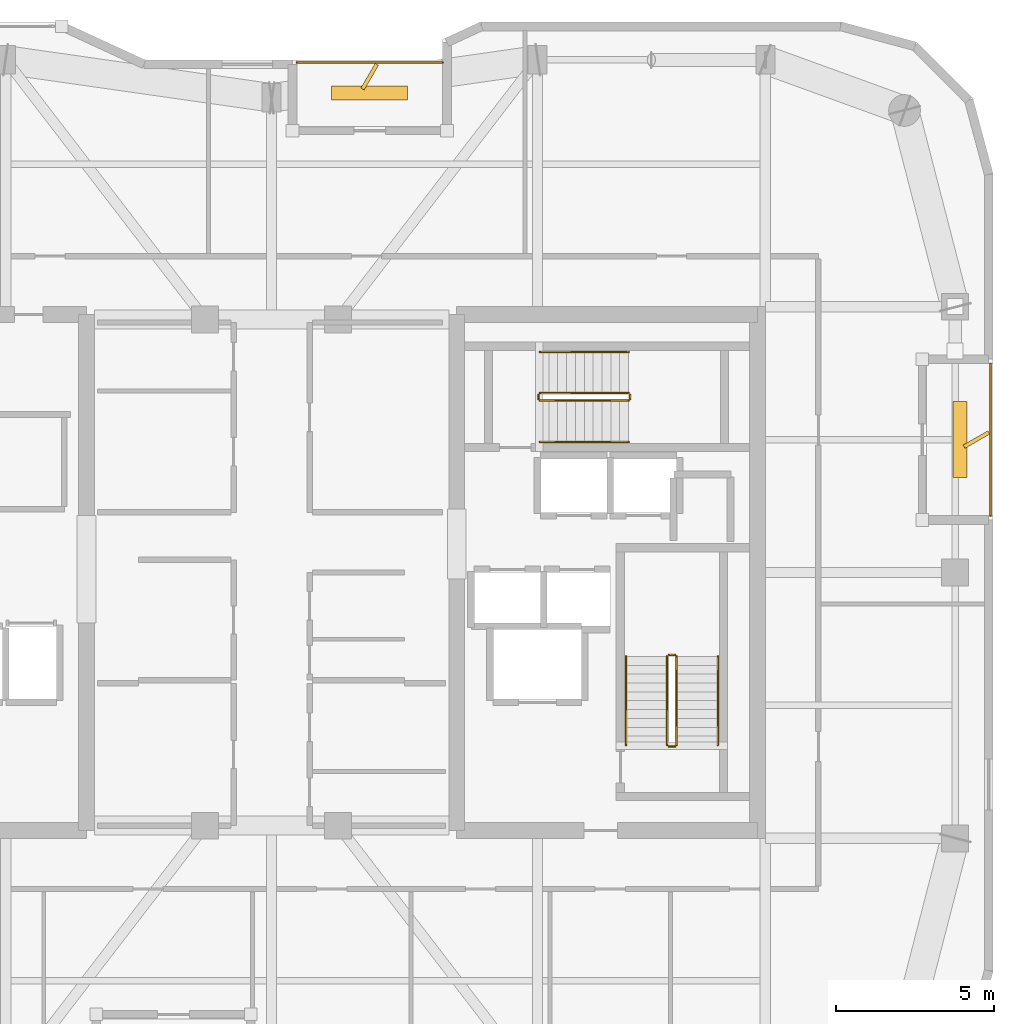
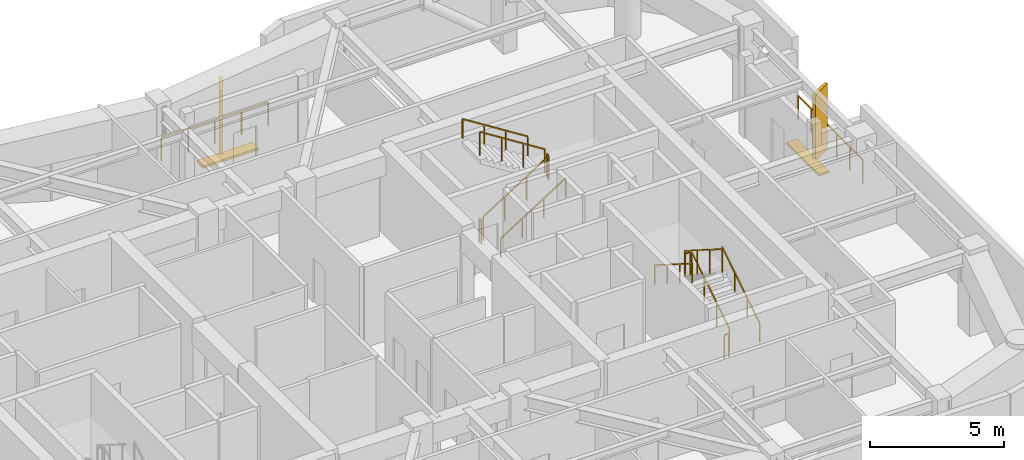
# One storey, part 15 of 15: 14 railings, 4 shading devices.
"""IFC4 building model written with IfcOpenShell, lengths in metres."""

from ifc_helpers import new_model, si_unit, direction, frame, origin, origin_2d, place, context, subcontext, project, spatial, rectangle, extrude, material, type_object, element, save


model = new_model("IFC4")

# Units and contexts
model_context = context("Model", 3, precision=1e-05, world=origin(), true_north=direction((0.0, 1.0)))
body_context = subcontext(model_context, "Body", "Model", "MODEL_VIEW")
ifc_project = project(units=[si_unit("LENGTHUNIT", "METRE"), si_unit("AREAUNIT", "SQUARE_METRE"), si_unit("VOLUMEUNIT", "CUBIC_METRE"), si_unit("PLANEANGLEUNIT", "RADIAN"), si_unit("MASSUNIT", "GRAM", prefix="KILO")], contexts=[model_context])

# Site, building, storey
site_placement = place(None, origin())
site = spatial("IfcSite", under=ifc_project, at=site_placement, CompositionType="ELEMENT")
building_placement = place(site_placement, origin())
building = spatial("IfcBuilding", under=site, at=building_placement, Name="Kiyonajd Concourse Tower", CompositionType="ELEMENT")
storey_placement = place(building_placement, frame((0.0, 0.0, 321.89990234375)))
storey = spatial("IfcBuildingStorey", under=building, at=storey_placement, Name="L81", CompositionType="ELEMENT", Elevation=321.89990234375)

# Railings
ifc_material_1 = material(Name="Thermally Broken Anodised Aluminium", Category="aluminium")
railing_type_1 = type_object("IfcRailingType", Name="RL-GRD-LOG", PredefinedType="GUARDRAIL", material=ifc_material_1)
railing_1_placement = place(storey_placement, frame((53.39990234375, 52.1201171875, 0.0)))
element("IfcRailing", 1, at=railing_1_placement, inside=storey, type_object=railing_type_1, Name="L81 Engawa Loggia Perimeter Guard LOG-N", PredefinedType="GUARDRAIL", context=body_context, shape_type="SweptSolid", body=[
    extrude(rectangle(XDim=0.048095703125, YDim=0.048095703125, at=origin_2d()), frame((0.0, 0.0, 1.076171875), z_axis=(-1.0, 0.0, 0.0), x_axis=(0.0, -1.0, 0.0)), (0.0, 0.0, 1.0), 4.599853515625),
    extrude(rectangle(XDim=0.0419921875, YDim=0.0419921875, at=origin_2d()), origin(), (0.0, 0.0, 1.0), 1.052001953125),
    extrude(rectangle(XDim=0.0419921875, YDim=0.0419921875, at=origin_2d()), frame((-1.14990234375, 0.0, 0.0)), (0.0, 0.0, 1.0), 1.052001953125),
    extrude(rectangle(XDim=0.0419921875, YDim=0.0419921875, at=origin_2d()), frame((-2.2998046875, 0.0, 0.0)), (0.0, 0.0, 1.0), 1.052001953125),
    extrude(rectangle(XDim=0.0419921875, YDim=0.0419921875, at=origin_2d()), frame((-3.449951171875, 0.0, 0.0)), (0.0, 0.0, 1.0), 1.052001953125),
    extrude(rectangle(XDim=0.0419921875, YDim=0.0419921875, at=origin_2d()), frame((-4.599853515625, 0.0, 0.0)), (0.0, 0.0, 1.0), 1.052001953125),
])
railing_2_placement = place(storey_placement, frame((70.719970703125, 37.800048828125, 0.0)))
element("IfcRailing", 2, at=railing_2_placement, inside=storey, type_object=railing_type_1, Name="L81 Engawa Loggia Perimeter Guard LOG-E", PredefinedType="GUARDRAIL", context=body_context, shape_type="SweptSolid", body=[
    extrude(rectangle(XDim=0.048095703125, YDim=0.048095703125, at=origin_2d()), frame((0.0, 0.0, 1.076171875), z_axis=(0.0, 1.0, 0.0), x_axis=(-1.0, 0.0, 0.0)), (0.0, 0.0, 1.0), 4.800048828125),
    extrude(rectangle(XDim=0.0419921875, YDim=0.0419921875, at=origin_2d()), origin(), (0.0, 0.0, 1.0), 1.052001953125),
    extrude(rectangle(XDim=0.0419921875, YDim=0.0419921875, at=origin_2d()), frame((0.0, 0.9599609375, 0.0)), (0.0, 0.0, 1.0), 1.052001953125),
    extrude(rectangle(XDim=0.0419921875, YDim=0.0419921875, at=origin_2d()), frame((0.0, 1.919921875, 0.0)), (0.0, 0.0, 1.0), 1.052001953125),
    extrude(rectangle(XDim=0.0419921875, YDim=0.0419921875, at=origin_2d()), frame((0.0, 2.880126953125, 0.0)), (0.0, 0.0, 1.0), 1.052001953125),
    extrude(rectangle(XDim=0.0419921875, YDim=0.0419921875, at=origin_2d()), frame((0.0, 3.840087890625, 0.0)), (0.0, 0.0, 1.0), 1.052001953125),
    extrude(rectangle(XDim=0.0419921875, YDim=0.0419921875, at=origin_2d()), frame((0.0, 4.800048828125, 0.0)), (0.0, 0.0, 1.0), 1.052001953125),
])
ifc_material_2 = material(Name="Steel ASTM A500 Grade C", Category="steel")
railing_type_2 = type_object("IfcRailingType", Name="RL-GRD-STR", PredefinedType="GUARDRAIL", material=ifc_material_2)
railing_3_placement = place(storey_placement, frame((60.800048828125, 30.550048828125, 0.177490234375)))
element("IfcRailing", 3, at=railing_3_placement, inside=storey, type_object=railing_type_2, Name="L81 ST2 stair guard 1", PredefinedType="GUARDRAIL", context=body_context, shape_type="SweptSolid", body=[
    extrude(rectangle(XDim=0.048095703125, YDim=0.048095703125, at=origin_2d()), frame((0.0, 0.0, 1.076171875), z_axis=(0.0, 0.844908973607, 0.534910110503), x_axis=(-1.0, 0.0, 0.0)), (0.0, 0.0, 1.0), 3.31396484375),
    extrude(rectangle(XDim=0.0419921875, YDim=0.0419921875, at=origin_2d()), origin(), (0.0, 0.0, 1.0), 1.052001953125),
    extrude(rectangle(XDim=0.0419921875, YDim=0.0419921875, at=origin_2d()), frame((0.0, 0.933349609375, 0.5908203125)), (0.0, 0.0, 1.0), 1.052001953125),
    extrude(rectangle(XDim=0.0419921875, YDim=0.0419921875, at=origin_2d()), frame((0.0, 1.86669921875, 1.181884765625)), (0.0, 0.0, 1.0), 1.052001953125),
    extrude(rectangle(XDim=0.0419921875, YDim=0.0419921875, at=origin_2d()), frame((0.0, 2.800048828125, 1.772705078125)), (0.0, 0.0, 1.0), 1.052001953125),
])
railing_4_placement = place(storey_placement, frame((60.75, 33.39990234375, 1.9501953125)))
element("IfcRailing", 4, at=railing_4_placement, inside=storey, type_object=railing_type_2, Name="L81 ST2 stair guard 2", PredefinedType="GUARDRAIL", context=body_context, shape_type="SweptSolid", body=[
    extrude(rectangle(XDim=0.048095703125, YDim=0.048095703125, at=origin_2d()), frame((0.0, 0.0, 1.076171875), z_axis=(-1.0, 0.0, 0.0), x_axis=(0.0, -1.0, 0.0)), (0.0, 0.0, 1.0), 0.199951171875),
    extrude(rectangle(XDim=0.0419921875, YDim=0.0419921875, at=origin_2d()), origin(), (0.0, 0.0, 1.0), 1.052001953125),
    extrude(rectangle(XDim=0.0419921875, YDim=0.0419921875, at=origin_2d()), frame((-0.199951171875, 0.0, 0.0)), (0.0, 0.0, 1.0), 1.052001953125),
])
railing_5_placement = place(storey_placement, frame((60.5, 33.35009765625, 2.12744140625)))
element("IfcRailing", 5, at=railing_5_placement, inside=storey, type_object=railing_type_2, Name="L81 ST2 stair guard 3", PredefinedType="GUARDRAIL", context=body_context, shape_type="SweptSolid", body=[
    extrude(rectangle(XDim=0.048095703125, YDim=0.048095703125, at=origin_2d()), frame((0.0, 0.0, 1.076171875), z_axis=(0.0, -0.844908973607, 0.534910110503), x_axis=(1.0, 0.0, 0.0)), (0.0, 0.0, 1.0), 3.31396484375),
    extrude(rectangle(XDim=0.0419921875, YDim=0.0419921875, at=origin_2d()), origin(), (0.0, 0.0, 1.0), 1.052001953125),
    extrude(rectangle(XDim=0.0419921875, YDim=0.0419921875, at=origin_2d()), frame((0.0, -0.933349609375, 0.5908203125)), (0.0, 0.0, 1.0), 1.052001953125),
    extrude(rectangle(XDim=0.0419921875, YDim=0.0419921875, at=origin_2d()), frame((0.0, -1.86669921875, 1.181884765625)), (0.0, 0.0, 1.0), 1.052001953125),
    extrude(rectangle(XDim=0.0419921875, YDim=0.0419921875, at=origin_2d()), frame((0.0, -2.800048828125, 1.772705078125)), (0.0, 0.0, 1.0), 1.052001953125),
])
railing_6_placement = place(storey_placement, frame((60.75, 30.5, 0.0)))
element("IfcRailing", 6, at=railing_6_placement, inside=storey, type_object=railing_type_2, Name="L81 ST2 stair guard 4", PredefinedType="GUARDRAIL", context=body_context, shape_type="SweptSolid", body=[
    extrude(rectangle(XDim=0.048095703125, YDim=0.048095703125, at=origin_2d()), frame((0.0, 0.0, 1.076171875), z_axis=(-1.0, 0.0, 0.0), x_axis=(0.0, -1.0, 0.0)), (0.0, 0.0, 1.0), 0.199951171875),
    extrude(rectangle(XDim=0.0419921875, YDim=0.0419921875, at=origin_2d()), origin(), (0.0, 0.0, 1.0), 1.052001953125),
    extrude(rectangle(XDim=0.0419921875, YDim=0.0419921875, at=origin_2d()), frame((-0.199951171875, 0.0, 0.0)), (0.0, 0.0, 1.0), 1.052001953125),
])
railing_7_placement = place(storey_placement, frame((56.47998046875, 41.429931640625, 0.177490234375)))
element("IfcRailing", 7, at=railing_7_placement, inside=storey, type_object=railing_type_2, Name="L81 ST3 stair guard 1", PredefinedType="GUARDRAIL", context=body_context, shape_type="SweptSolid", body=[
    extrude(rectangle(XDim=0.048095703125, YDim=0.048095703125, at=origin_2d()), frame((0.0, 0.0, 1.076171875), z_axis=(0.844908973607, 0.0, 0.534910110503), x_axis=(0.0, 1.0, 0.0)), (0.0, 0.0, 1.0), 3.31396484375),
    extrude(rectangle(XDim=0.0419921875, YDim=0.0419921875, at=origin_2d()), origin(), (0.0, 0.0, 1.0), 1.052001953125),
    extrude(rectangle(XDim=0.0419921875, YDim=0.0419921875, at=origin_2d()), frame((0.933349609375, 0.0, 0.5908203125)), (0.0, 0.0, 1.0), 1.052001953125),
    extrude(rectangle(XDim=0.0419921875, YDim=0.0419921875, at=origin_2d()), frame((1.86669921875, 0.0, 1.181884765625)), (0.0, 0.0, 1.0), 1.052001953125),
    extrude(rectangle(XDim=0.0419921875, YDim=0.0419921875, at=origin_2d()), frame((2.800048828125, 0.0, 1.772705078125)), (0.0, 0.0, 1.0), 1.052001953125),
])
railing_8_placement = place(storey_placement, frame((59.330078125, 41.47998046875, 1.9501953125)))
element("IfcRailing", 8, at=railing_8_placement, inside=storey, type_object=railing_type_2, Name="L81 ST3 stair guard 2", PredefinedType="GUARDRAIL", context=body_context, shape_type="SweptSolid", body=[
    extrude(rectangle(XDim=0.048095703125, YDim=0.048095703125, at=origin_2d()), frame((0.0, 0.0, 1.076171875), z_axis=(0.0, 1.0, 0.0), x_axis=(-1.0, 0.0, 0.0)), (0.0, 0.0, 1.0), 0.14013671875),
    extrude(rectangle(XDim=0.0419921875, YDim=0.0419921875, at=origin_2d()), origin(), (0.0, 0.0, 1.0), 1.052001953125),
    extrude(rectangle(XDim=0.0419921875, YDim=0.0419921875, at=origin_2d()), frame((0.0, 0.14013671875, 0.0)), (0.0, 0.0, 1.0), 1.052001953125),
])
railing_9_placement = place(storey_placement, frame((59.280029296875, 41.669921875, 2.12744140625)))
element("IfcRailing", 9, at=railing_9_placement, inside=storey, type_object=railing_type_2, Name="L81 ST3 stair guard 3", PredefinedType="GUARDRAIL", context=body_context, shape_type="SweptSolid", body=[
    extrude(rectangle(XDim=0.048095703125, YDim=0.048095703125, at=origin_2d()), frame((0.0, 0.0, 1.076171875), z_axis=(-0.844908973607, 0.0, 0.534910110503), x_axis=(0.0, -1.0, 0.0)), (0.0, 0.0, 1.0), 3.31396484375),
    extrude(rectangle(XDim=0.0419921875, YDim=0.0419921875, at=origin_2d()), origin(), (0.0, 0.0, 1.0), 1.052001953125),
    extrude(rectangle(XDim=0.0419921875, YDim=0.0419921875, at=origin_2d()), frame((-0.933349609375, 0.0, 0.5908203125)), (0.0, 0.0, 1.0), 1.052001953125),
    extrude(rectangle(XDim=0.0419921875, YDim=0.0419921875, at=origin_2d()), frame((-1.86669921875, 0.0, 1.181884765625)), (0.0, 0.0, 1.0), 1.052001953125),
    extrude(rectangle(XDim=0.0419921875, YDim=0.0419921875, at=origin_2d()), frame((-2.800048828125, 0.0, 1.772705078125)), (0.0, 0.0, 1.0), 1.052001953125),
])
railing_10_placement = place(storey_placement, frame((56.429931640625, 41.47998046875, 0.0)))
element("IfcRailing", 10, at=railing_10_placement, inside=storey, type_object=railing_type_2, Name="L81 ST3 stair guard 4", PredefinedType="GUARDRAIL", context=body_context, shape_type="SweptSolid", body=[
    extrude(rectangle(XDim=0.048095703125, YDim=0.048095703125, at=origin_2d()), frame((0.0, 0.0, 1.076171875), z_axis=(0.0, 1.0, 0.0), x_axis=(-1.0, 0.0, 0.0)), (0.0, 0.0, 1.0), 0.14013671875),
    extrude(rectangle(XDim=0.0419921875, YDim=0.0419921875, at=origin_2d()), origin(), (0.0, 0.0, 1.0), 1.052001953125),
    extrude(rectangle(XDim=0.0419921875, YDim=0.0419921875, at=origin_2d()), frame((0.0, 0.14013671875, 0.0)), (0.0, 0.0, 1.0), 1.052001953125),
])
ifc_material_3 = material(Name="Brushed Stainless Steel Cab Assembly", Category="steel")
railing_type_3 = type_object("IfcRailingType", Name="RL-HND-900", PredefinedType="HANDRAIL", material=ifc_material_3)
railing_11_placement = place(storey_placement, frame((62.10009765625, 30.550048828125, 0.177490234375)))
element("IfcRailing", 11, at=railing_11_placement, inside=storey, type_object=railing_type_3, Name="L81 ST2 stair handrail 1", PredefinedType="HANDRAIL", context=body_context, shape_type="SweptSolid", body=[
    extrude(rectangle(XDim=0.048095703125, YDim=0.048095703125, at=origin_2d()), frame((0.0, 0.0, 0.8759765625), z_axis=(0.0, 0.844908973607, 0.534910110503), x_axis=(-1.0, 0.0, 0.0)), (0.0, 0.0, 1.0), 3.31396484375),
    extrude(rectangle(XDim=0.0419921875, YDim=0.0419921875, at=origin_2d()), origin(), (0.0, 0.0, 1.0), 0.851806640625),
    extrude(rectangle(XDim=0.0419921875, YDim=0.0419921875, at=origin_2d()), frame((0.0, 0.933349609375, 0.5908203125)), (0.0, 0.0, 1.0), 0.851806640625),
    extrude(rectangle(XDim=0.0419921875, YDim=0.0419921875, at=origin_2d()), frame((0.0, 1.86669921875, 1.181884765625)), (0.0, 0.0, 1.0), 0.851806640625),
    extrude(rectangle(XDim=0.0419921875, YDim=0.0419921875, at=origin_2d()), frame((0.0, 2.800048828125, 1.772705078125)), (0.0, 0.0, 1.0), 0.851806640625),
])
railing_12_placement = place(storey_placement, frame((59.199951171875, 33.35009765625, 2.12744140625)))
element("IfcRailing", 12, at=railing_12_placement, inside=storey, type_object=railing_type_3, Name="L81 ST2 stair handrail 2", PredefinedType="HANDRAIL", context=body_context, shape_type="SweptSolid", body=[
    extrude(rectangle(XDim=0.048095703125, YDim=0.048095703125, at=origin_2d()), frame((0.0, 0.0, 0.8759765625), z_axis=(0.0, -0.844908973607, 0.534910110503), x_axis=(1.0, 0.0, 0.0)), (0.0, 0.0, 1.0), 3.31396484375),
    extrude(rectangle(XDim=0.0419921875, YDim=0.0419921875, at=origin_2d()), origin(), (0.0, 0.0, 1.0), 0.851806640625),
    extrude(rectangle(XDim=0.0419921875, YDim=0.0419921875, at=origin_2d()), frame((0.0, -0.933349609375, 0.5908203125)), (0.0, 0.0, 1.0), 0.851806640625),
    extrude(rectangle(XDim=0.0419921875, YDim=0.0419921875, at=origin_2d()), frame((0.0, -1.86669921875, 1.181884765625)), (0.0, 0.0, 1.0), 0.851806640625),
    extrude(rectangle(XDim=0.0419921875, YDim=0.0419921875, at=origin_2d()), frame((0.0, -2.800048828125, 1.772705078125)), (0.0, 0.0, 1.0), 0.851806640625),
])
railing_13_placement = place(storey_placement, frame((56.47998046875, 40.1298828125, 0.177490234375)))
element("IfcRailing", 13, at=railing_13_placement, inside=storey, type_object=railing_type_3, Name="L81 ST3 stair handrail 1", PredefinedType="HANDRAIL", context=body_context, shape_type="SweptSolid", body=[
    extrude(rectangle(XDim=0.048095703125, YDim=0.048095703125, at=origin_2d()), frame((0.0, 0.0, 0.8759765625), z_axis=(0.844908973607, 0.0, 0.534910110503), x_axis=(0.0, 1.0, 0.0)), (0.0, 0.0, 1.0), 3.31396484375),
    extrude(rectangle(XDim=0.0419921875, YDim=0.0419921875, at=origin_2d()), origin(), (0.0, 0.0, 1.0), 0.851806640625),
    extrude(rectangle(XDim=0.0419921875, YDim=0.0419921875, at=origin_2d()), frame((0.933349609375, 0.0, 0.5908203125)), (0.0, 0.0, 1.0), 0.851806640625),
    extrude(rectangle(XDim=0.0419921875, YDim=0.0419921875, at=origin_2d()), frame((1.86669921875, 0.0, 1.181884765625)), (0.0, 0.0, 1.0), 0.851806640625),
    extrude(rectangle(XDim=0.0419921875, YDim=0.0419921875, at=origin_2d()), frame((2.800048828125, 0.0, 1.772705078125)), (0.0, 0.0, 1.0), 0.851806640625),
])
railing_14_placement = place(storey_placement, frame((59.280029296875, 42.969970703125, 2.12744140625)))
element("IfcRailing", 14, at=railing_14_placement, inside=storey, type_object=railing_type_3, Name="L81 ST3 stair handrail 2", PredefinedType="HANDRAIL", context=body_context, shape_type="SweptSolid", body=[
    extrude(rectangle(XDim=0.048095703125, YDim=0.048095703125, at=origin_2d()), frame((0.0, 0.0, 0.8759765625), z_axis=(-0.844908973607, 0.0, 0.534910110503), x_axis=(0.0, -1.0, 0.0)), (0.0, 0.0, 1.0), 3.31396484375),
    extrude(rectangle(XDim=0.0419921875, YDim=0.0419921875, at=origin_2d()), origin(), (0.0, 0.0, 1.0), 0.851806640625),
    extrude(rectangle(XDim=0.0419921875, YDim=0.0419921875, at=origin_2d()), frame((-0.933349609375, 0.0, 0.5908203125)), (0.0, 0.0, 1.0), 0.851806640625),
    extrude(rectangle(XDim=0.0419921875, YDim=0.0419921875, at=origin_2d()), frame((-1.86669921875, 0.0, 1.181884765625)), (0.0, 0.0, 1.0), 0.851806640625),
    extrude(rectangle(XDim=0.0419921875, YDim=0.0419921875, at=origin_2d()), frame((-2.800048828125, 0.0, 1.772705078125)), (0.0, 0.0, 1.0), 0.851806640625),
])

# Shading devices
ifc_material_4 = material(Name="Precast concrete C50/60", Category="concrete")
shading_device_type_1 = type_object("IfcShadingDeviceType", Name="SH-FIN-900", PredefinedType="USERDEFINED", material=ifc_material_4)
for number, where, z_axis, x_axis, name in (
    (15, (51.10009765625, 51.669921875, 0.0), (0.0, 0.0, 1.0), (0.5, 0.866025403784, 0.0), "L81 Angled Koshi Solar Fin LOG-N"),
    (16, (70.27001953125, 40.199951171875, 0.0), (0.0, 0.0, 1.0), (0.866025403784, 0.5, 0.0), "L81 Angled Koshi Solar Fin LOG-E"),
):
    element("IfcShadingDevice", number, at=place(storey_placement, frame(where, z_axis=z_axis, x_axis=x_axis)), inside=storey, type_object=shading_device_type_1, Name=name, ObjectType="FIN", PredefinedType="USERDEFINED", context=body_context, shape_type="SweptSolid", body=[
        extrude(rectangle(XDim=0.89990234375, YDim=0.1201171875, at=origin_2d()), origin(), (0.0, 0.0, 1.0), 3.0),
    ])
shading_device_type_2 = type_object("IfcShadingDeviceType", Name="SH-LVR-600", PredefinedType="JALOUSIE", material=ifc_material_1)
for number, where, z_axis, x_axis, name in (
    (17, (51.10009765625, 51.14990234375, 0.0), (0.0, 0.0, 1.0), (1.0, 0.0, 0.0), "L81 Loggia Threshold Louver LOG-N"),
    (18, (69.75, 40.199951171875, 0.0), (0.0, 0.0, 1.0), (0.0, 1.0, 0.0), "L81 Loggia Threshold Louver LOG-E"),
):
    element("IfcShadingDevice", number, at=place(storey_placement, frame(where, z_axis=z_axis, x_axis=x_axis)), inside=storey, type_object=shading_device_type_2, Name=name, PredefinedType="JALOUSIE", context=body_context, shape_type="SweptSolid", body=[
        extrude(rectangle(XDim=2.39990234375, YDim=0.449951171875, at=origin_2d()), origin(), (0.0, 0.0, 1.0), 0.10009765625),
    ])

save(model, "model.ifc")
